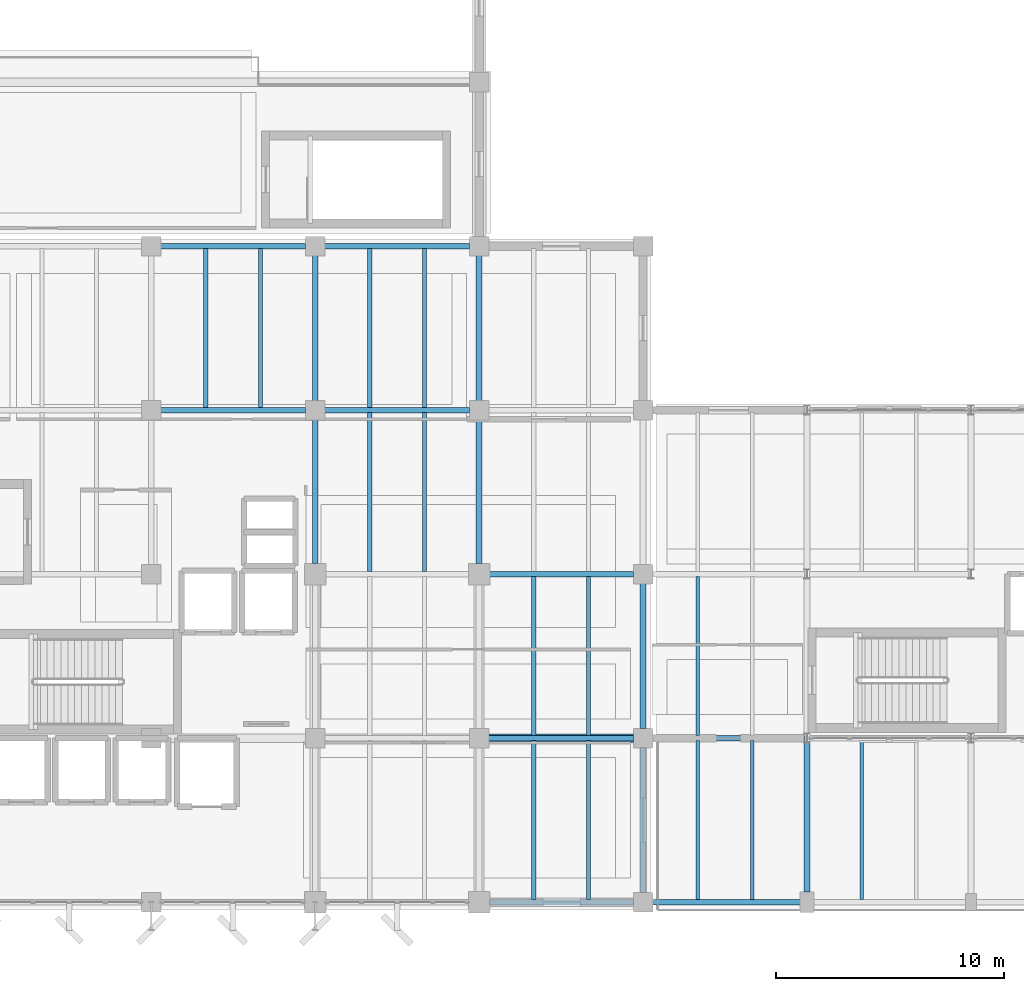
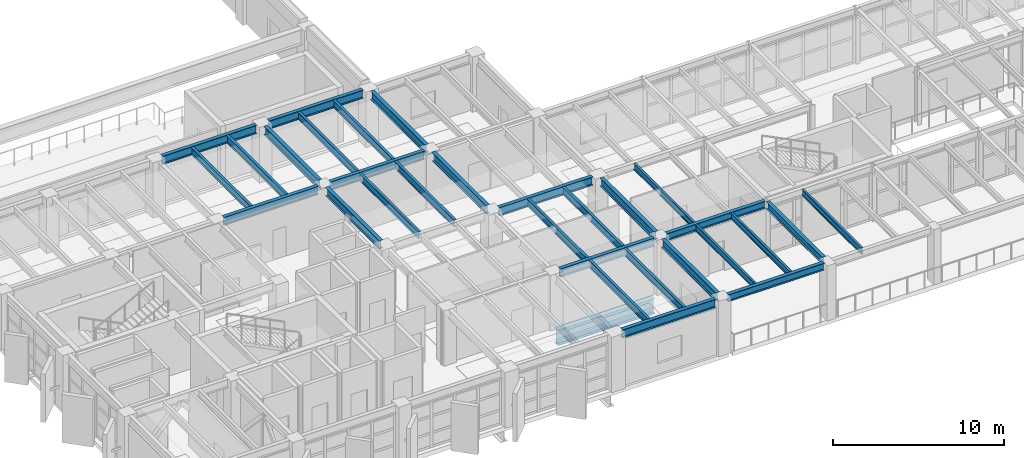
# One storey, part 12 of 59: 31 beams.
"""IFC4 building model written with IfcOpenShell, lengths in metres."""

from ifc_helpers import new_model, si_unit, direction, frame, origin, origin_2d, place, context, subcontext, project, spatial, i_section, extrude, material, material_profile, profile_set, type_object, element, save


model = new_model("IFC4")

# Units and contexts
model_context = context("Model", 3, precision=1e-05, world=origin(), true_north=direction((0.0, 1.0)))
body_context = subcontext(model_context, "Body", "Model", "MODEL_VIEW")
ifc_project = project(units=[si_unit("LENGTHUNIT", "METRE"), si_unit("AREAUNIT", "SQUARE_METRE"), si_unit("VOLUMEUNIT", "CUBIC_METRE"), si_unit("PLANEANGLEUNIT", "RADIAN"), si_unit("MASSUNIT", "GRAM", prefix="KILO")], contexts=[model_context])

# Site, building, storey
site_placement = place(None, origin())
site = spatial("IfcSite", under=ifc_project, at=site_placement, CompositionType="ELEMENT")
building_placement = place(site_placement, origin())
building = spatial("IfcBuilding", under=site, at=building_placement, Name="Kandorven Conservatory and Botanical Research Centre", CompositionType="ELEMENT")
storey_placement = place(building_placement, frame((0.0, 0.0, 4.800048828125)))
storey = spatial("IfcBuildingStorey", under=building, at=storey_placement, Name="L01", CompositionType="ELEMENT", Elevation=4.800048828125)

# Beams
ifc_material_1 = material(Name="Steel S355 (IS 2062 E350)", Category="steel")
ifc_material_profile_1 = material_profile(ifc_material_1, i_section(OverallWidth=0.25, OverallDepth=0.60009765625, WebThickness=0.01171875, FlangeThickness=0.023681640625, at=origin_2d()))
ifc_profile_set_1 = profile_set([ifc_material_profile_1], Name="Steel S355 (IS 2062 E350)")
beam_type_1 = type_object("IfcBeamType", Name="Beam_FG-01", PredefinedType="USERDEFINED", material=ifc_profile_set_1)
beam_1_placement = place(storey_placement, frame((35.264892578125, 6.0, 3.64990234375), z_axis=(1.0, 0.0, 0.0), x_axis=(0.0, 1.0, 0.0)))
element("IfcBeam", 1, at=beam_1_placement, inside=storey, type_object=beam_type_1, Name="Primary girder FG-01 TWR L01", ObjectType="GIRDER", PredefinedType="USERDEFINED", context=body_context, shape_type="SweptSolid", body=[
    extrude(i_section(OverallWidth=0.25, OverallDepth=0.60009765625, WebThickness=0.01171875, FlangeThickness=0.023681640625, at=origin_2d()), origin(), (0.0, 0.0, 1.0), 6.320068359375),
])
beam_2_placement = place(storey_placement, frame((35.215087890625, 13.199951171875, 3.64990234375), z_axis=(1.0, 0.0, 0.0), x_axis=(0.0, 1.0, 0.0)))
element("IfcBeam", 2, at=beam_2_placement, inside=storey, type_object=beam_type_1, Name="Primary girder FG-01 TWR L01", ObjectType="GIRDER", PredefinedType="USERDEFINED", context=body_context, shape_type="SweptSolid", body=[
    extrude(i_section(OverallWidth=0.25, OverallDepth=0.60009765625, WebThickness=0.01171875, FlangeThickness=0.023681640625, at=origin_2d()), origin(), (0.0, 0.0, 1.0), 6.369873046875),
])
beam_3_placement = place(storey_placement, frame((35.264892578125, 20.39990234375, 3.64990234375), z_axis=(1.0, 0.0, 0.0), x_axis=(0.0, 1.0, 0.0)))
element("IfcBeam", 3, at=beam_3_placement, inside=storey, type_object=beam_type_1, Name="Primary girder FG-01 TWR L01", ObjectType="GIRDER", PredefinedType="USERDEFINED", context=body_context, shape_type="SweptSolid", body=[
    extrude(i_section(OverallWidth=0.25, OverallDepth=0.60009765625, WebThickness=0.01171875, FlangeThickness=0.023681640625, at=origin_2d()), origin(), (0.0, 0.0, 1.0), 6.320068359375),
])
for number, where, z_axis, x_axis, name in (
    (4, (20.81494140625, 27.60009765625, 3.64990234375), (1.0, 0.0, 0.0), (0.0, 1.0, 0.0), "Primary girder FG-01 TWR L01"),
    (5, (28.014892578125, 27.60009765625, 3.64990234375), (1.0, 0.0, 0.0), (0.0, 1.0, 0.0), "Primary girder FG-01 TWR L01"),
    (6, (20.81494140625, 34.800048828125, 3.64990234375), (1.0, 0.0, 0.0), (0.0, 1.0, 0.0), "Primary girder FG-01 TWR L01"),
    (7, (28.014892578125, 34.800048828125, 3.64990234375), (1.0, 0.0, 0.0), (0.0, 1.0, 0.0), "Primary girder FG-01 TWR L01"),
):
    element("IfcBeam", number, at=place(storey_placement, frame(where, z_axis=z_axis, x_axis=x_axis)), inside=storey, type_object=beam_type_1, Name=name, ObjectType="GIRDER", PredefinedType="USERDEFINED", context=body_context, shape_type="SweptSolid", body=[
        extrude(i_section(OverallWidth=0.25, OverallDepth=0.60009765625, WebThickness=0.01171875, FlangeThickness=0.023681640625, at=origin_2d()), origin(), (0.0, 0.0, 1.0), 6.3701171875),
    ])
beam_4_placement = place(storey_placement, frame((27.60009765625, 20.864990234375, 3.64990234375), z_axis=(0.0, 1.0, 0.0), x_axis=(-1.0, 0.0, 0.0)))
element("IfcBeam", 8, at=beam_4_placement, inside=storey, type_object=beam_type_1, Name="Primary girder FG-01 TWR L01", ObjectType="GIRDER", PredefinedType="USERDEFINED", context=body_context, shape_type="SweptSolid", body=[
    extrude(i_section(OverallWidth=0.25, OverallDepth=0.60009765625, WebThickness=0.01171875, FlangeThickness=0.023681640625, at=origin_2d()), origin(), (0.0, 0.0, 1.0), 6.320068359375),
])
beam_5_placement = place(storey_placement, frame((27.60009765625, 28.014892578125, 3.64990234375), z_axis=(0.0, 1.0, 0.0), x_axis=(-1.0, 0.0, 0.0)))
element("IfcBeam", 9, at=beam_5_placement, inside=storey, type_object=beam_type_1, Name="Primary girder FG-01 TWR L01", ObjectType="GIRDER", PredefinedType="USERDEFINED", context=body_context, shape_type="SweptSolid", body=[
    extrude(i_section(OverallWidth=0.25, OverallDepth=0.60009765625, WebThickness=0.01171875, FlangeThickness=0.023681640625, at=origin_2d()), origin(), (0.0, 0.0, 1.0), 6.3701171875),
])
beam_6_placement = place(storey_placement, frame((34.800048828125, 20.864990234375, 3.64990234375), z_axis=(0.0, 1.0, 0.0), x_axis=(-1.0, 0.0, 0.0)))
element("IfcBeam", 10, at=beam_6_placement, inside=storey, type_object=beam_type_1, Name="Primary girder FG-01 TWR L01", ObjectType="GIRDER", PredefinedType="USERDEFINED", context=body_context, shape_type="SweptSolid", body=[
    extrude(i_section(OverallWidth=0.25, OverallDepth=0.60009765625, WebThickness=0.01171875, FlangeThickness=0.023681640625, at=origin_2d()), origin(), (0.0, 0.0, 1.0), 6.320068359375),
])
beam_7_placement = place(storey_placement, frame((34.800048828125, 28.014892578125, 3.64990234375), z_axis=(0.0, 1.0, 0.0), x_axis=(-1.0, 0.0, 0.0)))
element("IfcBeam", 11, at=beam_7_placement, inside=storey, type_object=beam_type_1, Name="Primary girder FG-01 TWR L01", ObjectType="GIRDER", PredefinedType="USERDEFINED", context=body_context, shape_type="SweptSolid", body=[
    extrude(i_section(OverallWidth=0.25, OverallDepth=0.60009765625, WebThickness=0.01171875, FlangeThickness=0.023681640625, at=origin_2d()), origin(), (0.0, 0.0, 1.0), 6.3701171875),
])
beam_8_placement = place(storey_placement, frame((42.0, 6.4150390625, 3.64990234375), z_axis=(0.0, 1.0, 0.0), x_axis=(-1.0, 0.0, 0.0)))
element("IfcBeam", 12, at=beam_8_placement, inside=storey, type_object=beam_type_1, Name="Primary girder FG-01 TWR L01", ObjectType="GIRDER", PredefinedType="USERDEFINED", context=body_context, shape_type="SweptSolid", body=[
    extrude(i_section(OverallWidth=0.25, OverallDepth=0.60009765625, WebThickness=0.01171875, FlangeThickness=0.023681640625, at=origin_2d()), origin(), (0.0, 0.0, 1.0), 6.369873046875),
])
beam_9_placement = place(storey_placement, frame((42.0, 13.614990234375, 3.64990234375), z_axis=(0.0, 1.0, 0.0), x_axis=(-1.0, 0.0, 0.0)))
element("IfcBeam", 13, at=beam_9_placement, inside=storey, type_object=beam_type_1, Name="Primary girder FG-01 TWR L01", ObjectType="GIRDER", PredefinedType="USERDEFINED", context=body_context, shape_type="SweptSolid", body=[
    extrude(i_section(OverallWidth=0.25, OverallDepth=0.60009765625, WebThickness=0.01171875, FlangeThickness=0.023681640625, at=origin_2d()), origin(), (0.0, 0.0, 1.0), 6.3701171875),
])
ifc_material_2 = material(Name="Steel S355 (IS 2062 E350)", Category="steel")
ifc_material_profile_2 = material_profile(ifc_material_2, i_section(OverallWidth=0.25, OverallDepth=0.5, WebThickness=0.010009765625, FlangeThickness=0.0146484375, at=origin_2d()))
ifc_profile_set_2 = profile_set([ifc_material_profile_2], Name="Steel S355 (IS 2062 E350)")
beam_type_2 = type_object("IfcBeamType", Name="Beam_FG-02", PredefinedType="USERDEFINED", material=ifc_profile_set_2)
beam_10_placement = place(storey_placement, frame((42.4150390625, 6.0, 3.699951171875), z_axis=(1.0, 0.0, 0.0), x_axis=(0.0, 1.0, 0.0)))
element("IfcBeam", 14, at=beam_10_placement, inside=storey, type_object=beam_type_2, Name="Primary girder FG-02 VIS L01", ObjectType="GIRDER", PredefinedType="USERDEFINED", context=body_context, shape_type="SweptSolid", body=[
    extrude(i_section(OverallWidth=0.25, OverallDepth=0.5, WebThickness=0.010009765625, FlangeThickness=0.0146484375, at=origin_2d()), origin(), (0.0, 0.0, 1.0), 6.494873046875),
])
beam_11_placement = place(storey_placement, frame((42.4150390625, 13.199951171875, 3.699951171875), z_axis=(1.0, 0.0, 0.0), x_axis=(0.0, 1.0, 0.0)))
element("IfcBeam", 15, at=beam_11_placement, inside=storey, type_object=beam_type_2, Name="Primary girder FG-02 VIS L01", ObjectType="GIRDER", PredefinedType="USERDEFINED", context=body_context, shape_type="SweptSolid", body=[
    extrude(i_section(OverallWidth=0.25, OverallDepth=0.5, WebThickness=0.010009765625, FlangeThickness=0.0146484375, at=origin_2d()), origin(), (0.0, 0.0, 1.0), 6.669921875),
])
beam_12_placement = place(storey_placement, frame((49.199951171875, 6.43994140625, 3.699951171875), z_axis=(0.0, 1.0, 0.0), x_axis=(-1.0, 0.0, 0.0)))
element("IfcBeam", 16, at=beam_12_placement, inside=storey, type_object=beam_type_2, Name="Primary girder FG-02 VIS L01", ObjectType="GIRDER", PredefinedType="USERDEFINED", context=body_context, shape_type="SweptSolid", body=[
    extrude(i_section(OverallWidth=0.25, OverallDepth=0.5, WebThickness=0.010009765625, FlangeThickness=0.0146484375, at=origin_2d()), origin(), (0.0, 0.0, 1.0), 6.570068359375),
])
ifc_material_3 = material(Name="Steel S355 (IS 2062 E350)", Category="steel")
ifc_material_profile_3 = material_profile(ifc_material_3, i_section(OverallWidth=0.3798828125, OverallDepth=1.10009765625, WebThickness=0.02001953125, FlangeThickness=0.031982421875, at=origin_2d()))
ifc_profile_set_3 = profile_set([ifc_material_profile_3], Name="Steel S355 (IS 2062 E350)")
beam_type_3 = type_object("IfcBeamType", Name="Beam_PG-01", PredefinedType="USERDEFINED", material=ifc_profile_set_3)
beam_13_placement = place(storey_placement, frame((35.014892578125, 13.199951171875, -0.8701171875), z_axis=(1.0, 0.0, 0.0), x_axis=(0.0, 1.0, 0.0)))
element("IfcBeam", 17, at=beam_13_placement, inside=storey, type_object=beam_type_3, Name="Transfer tie girder PG-01 bay 3", ObjectType="GIRDER", PredefinedType="USERDEFINED", context=body_context, shape_type="SweptSolid", body=[
    extrude(i_section(OverallWidth=0.3798828125, OverallDepth=1.10009765625, WebThickness=0.02001953125, FlangeThickness=0.031982421875, at=origin_2d()), origin(), (0.0, 0.0, 1.0), 6.570068359375),
])
ifc_material_4 = material(Name="Steel S355 (IS 2062 E350)", Category="steel")
ifc_material_profile_4 = material_profile(ifc_material_4, i_section(OverallWidth=0.179931640625, OverallDepth=0.5, WebThickness=0.01025390625, FlangeThickness=0.01708984375, at=origin_2d()))
ifc_profile_set_4 = profile_set([ifc_material_profile_4], Name="Steel S355 (IS 2062 E350)")
beam_type_4 = type_object("IfcBeamType", Name="Beam_SB-03", PredefinedType="BEAM", material=ifc_profile_set_4)
for number, where, z_axis, x_axis, name in (
    (18, (22.800048828125, 27.7099609375, 3.699951171875), (0.0, 1.0, 0.0), (-1.0, 0.0, 0.0), "Composite secondary beam SB-03 TWR L01"),
    (19, (25.199951171875, 27.7099609375, 3.699951171875), (0.0, 1.0, 0.0), (-1.0, 0.0, 0.0), "Composite secondary beam SB-03 TWR L01"),
    (20, (30.0, 20.510009765625, 3.699951171875), (0.0, 1.0, 0.0), (-1.0, 0.0, 0.0), "Composite secondary beam SB-03 TWR L01"),
    (21, (32.39990234375, 20.510009765625, 3.699951171875), (0.0, 1.0, 0.0), (-1.0, 0.0, 0.0), "Composite secondary beam SB-03 TWR L01"),
    (22, (30.0, 27.7099609375, 3.699951171875), (0.0, 1.0, 0.0), (-1.0, 0.0, 0.0), "Composite secondary beam SB-03 TWR L01"),
    (23, (32.39990234375, 27.7099609375, 3.699951171875), (0.0, 1.0, 0.0), (-1.0, 0.0, 0.0), "Composite secondary beam SB-03 TWR L01"),
    (24, (37.199951171875, 6.110107421875, 3.699951171875), (0.0, 1.0, 0.0), (-1.0, 0.0, 0.0), "Composite secondary beam SB-03 TWR L01"),
    (25, (39.60009765625, 6.110107421875, 3.699951171875), (0.0, 1.0, 0.0), (-1.0, 0.0, 0.0), "Composite secondary beam SB-03 TWR L01"),
    (26, (37.199951171875, 13.31005859375, 3.699951171875), (0.0, 1.0, 0.0), (-1.0, 0.0, 0.0), "Composite secondary beam SB-03 TWR L01"),
    (27, (39.60009765625, 13.31005859375, 3.699951171875), (0.0, 1.0, 0.0), (-1.0, 0.0, 0.0), "Composite secondary beam SB-03 TWR L01"),
):
    element("IfcBeam", number, at=place(storey_placement, frame(where, z_axis=z_axis, x_axis=x_axis)), inside=storey, type_object=beam_type_4, Name=name, PredefinedType="BEAM", context=body_context, shape_type="SweptSolid", body=[
        extrude(i_section(OverallWidth=0.179931640625, OverallDepth=0.5, WebThickness=0.01025390625, FlangeThickness=0.01708984375, at=origin_2d()), origin(), (0.0, 0.0, 1.0), 6.97998046875),
    ])
ifc_material_5 = material(Name="Steel S355 (IS 2062 E350)", Category="steel")
ifc_material_profile_5 = material_profile(ifc_material_5, i_section(OverallWidth=0.14990234375, OverallDepth=0.449951171875, WebThickness=0.009521484375, FlangeThickness=0.017333984375, at=origin_2d()))
ifc_profile_set_5 = profile_set([ifc_material_profile_5], Name="Steel S355 (IS 2062 E350)")
beam_type_5 = type_object("IfcBeamType", Name="Beam_SB-04", PredefinedType="BEAM", material=ifc_profile_set_5)
for number, where, z_axis, x_axis, name in (
    (28, (44.39990234375, 6.110107421875, 3.724853515625), (0.0, 1.0, 0.0), (-1.0, 0.0, 0.0), "Composite secondary beam SB-04 VIS L01"),
    (29, (46.800048828125, 6.110107421875, 3.724853515625), (0.0, 1.0, 0.0), (-1.0, 0.0, 0.0), "Composite secondary beam SB-04 VIS L01"),
    (30, (44.39990234375, 13.31005859375, 3.724853515625), (0.0, 1.0, 0.0), (-1.0, 0.0, 0.0), "Composite secondary beam SB-04 VIS L01"),
    (31, (51.60009765625, 6.110107421875, 3.724853515625), (0.0, 1.0, 0.0), (-1.0, 0.0, 0.0), "Composite secondary beam SB-04 VIS L01"),
):
    element("IfcBeam", number, at=place(storey_placement, frame(where, z_axis=z_axis, x_axis=x_axis)), inside=storey, type_object=beam_type_5, Name=name, PredefinedType="BEAM", context=body_context, shape_type="SweptSolid", body=[
        extrude(i_section(OverallWidth=0.14990234375, OverallDepth=0.449951171875, WebThickness=0.009521484375, FlangeThickness=0.017333984375, at=origin_2d()), origin(), (0.0, 0.0, 1.0), 6.97998046875),
    ])

save(model, "model.ifc")
